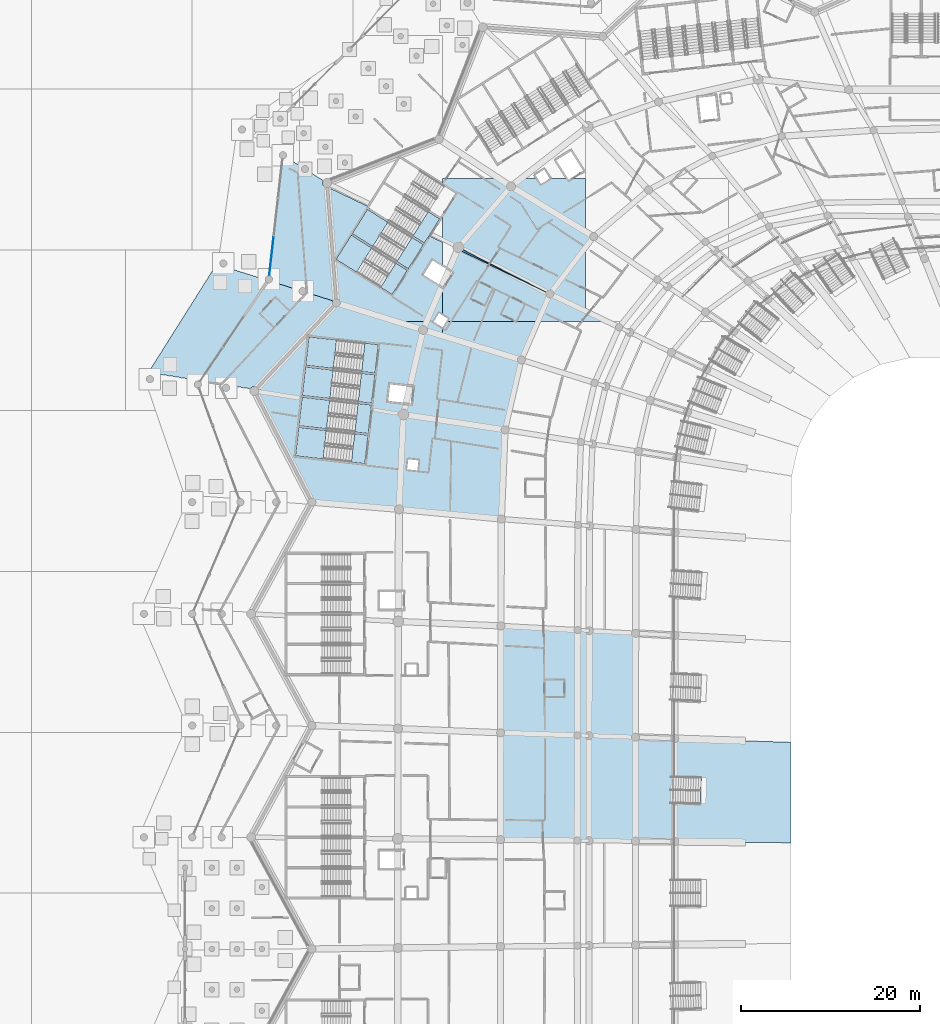
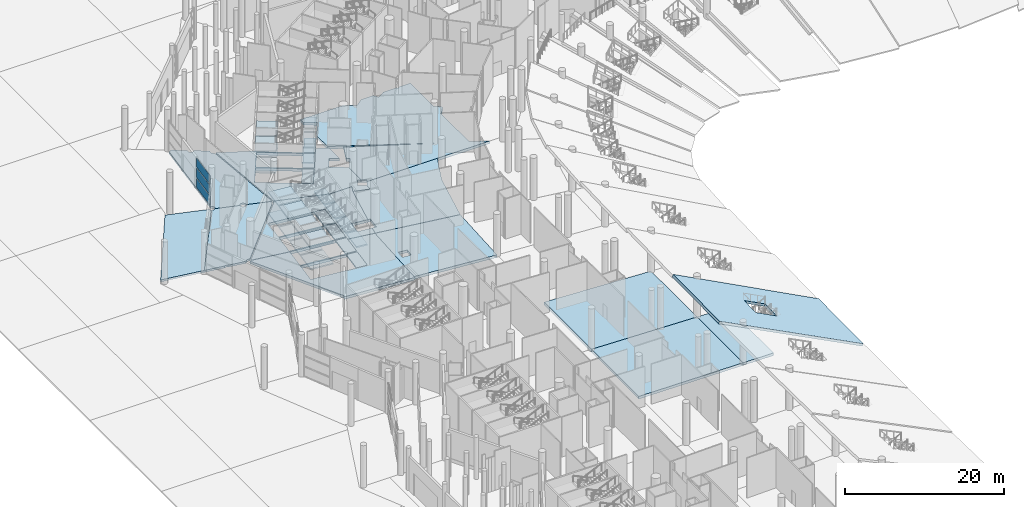
# One storey, part 87 of 255: 40 slabs, 3 plates, 8 elements without a shape of their own.
"""IFC4 building model written with IfcOpenShell, lengths in metres."""

from ifc_helpers import new_model, si_unit, direction, frame, origin, origin_2d, place, context, subcontext, project, spatial, polyline, rectangle, outline, extrude, material, layer, layer_set, type_object, element, aggregate, save


model = new_model("IFC4")

# Units and contexts
model_context = context("Model", 3, precision=1e-05, world=origin(), true_north=direction((0.0, 1.0)))
body_context = subcontext(model_context, "Body", "Model", "MODEL_VIEW")
ifc_project = project(units=[si_unit("LENGTHUNIT", "METRE"), si_unit("AREAUNIT", "SQUARE_METRE"), si_unit("VOLUMEUNIT", "CUBIC_METRE"), si_unit("PLANEANGLEUNIT", "RADIAN"), si_unit("MASSUNIT", "GRAM", prefix="KILO")], contexts=[model_context])

# Site, building, storey
site_placement = place(None, origin())
site = spatial("IfcSite", under=ifc_project, at=site_placement, CompositionType="ELEMENT")
building_placement = place(site_placement, origin())
building = spatial("IfcBuilding", under=site, at=building_placement, Name="Meseta Stadium", CompositionType="ELEMENT")
storey_placement = place(building_placement, origin())
storey = spatial("IfcBuildingStorey", under=building, at=storey_placement, Name="L00", CompositionType="ELEMENT", Elevation=0.0)

# Slabs
ifc_material_1 = material(Name="Concrete C40/50", Category="concrete")
ifc_layer_1 = layer(ifc_material_1, 0.39990234375)
ifc_layer_set_1 = layer_set([ifc_layer_1], Name="Floor slab 400")
slab_type_1 = type_object("IfcSlabType", Name="Floor slab 400", PredefinedType="FLOOR", material=ifc_layer_set_1)
slab_1_placement = place(storey_placement, frame((0.0, 0.0, -0.39990234375)))
element("IfcSlab", 1, at=slab_1_placement, inside=storey, type_object=slab_type_1, Name="Floor slab L00 sector 21 panel 01", PredefinedType="FLOOR", context=body_context, shape_type="SweptSolid", body=[
    extrude(outline(polyline([(-87.94580078125, 54.62548828125), (-87.985595703125, 54.272216796875), (-84.335693359375, 53.684326171875), (-84.0673828125, 54.842529296875), (-86.08447265625, 55.06982421875), (-85.87158203125, 56.9580078125), (-83.635498046875, 56.7060546875), (-82.169189453125, 63.03369140625), (-81.75390625, 64.0), (-84.956787109375, 64.0), (-91.8818359375, 66.171142578125), (-91.872802734375, 66.051513671875), (-100.910888671875, 56.353759765625), (-95.3837890625, 55.463623046875), (-87.94580078125, 54.62548828125)]), holes=[polyline([(-95.67431640625, 55.697509765625), (-95.316162109375, 58.87744140625), (-87.565185546875, 58.004150390625), (-87.923583984375, 54.82421875), (-95.67431640625, 55.697509765625)]), polyline([(-95.293701171875, 59.076171875), (-94.935302734375, 62.256103515625), (-87.1845703125, 61.3828125), (-87.542724609375, 58.202880859375), (-95.293701171875, 59.076171875)])]), origin(), (0.0, 0.0, 1.0), 0.39990234375),
])
slab_2_placement = place(storey_placement, frame((0.0, 0.0, -0.39990234375)))
element("IfcSlab", 2, at=slab_2_placement, inside=storey, type_object=slab_type_1, Name="Floor slab L00 sector 21 panel 02", PredefinedType="FLOOR", context=body_context, shape_type="SweptSolid", body=[
    extrude(outline(polyline([(-80.0, 70.12353515625), (-80.0, 72.84228515625), (-81.504150390625, 73.565673828125), (-82.01708984375, 72.749267578125), (-88.282958984375, 76.686279296875), (-88.2158203125, 76.793212890625), (-92.87451171875, 79.03369140625), (-91.8818359375, 66.171142578125), (-84.956787109375, 64.0), (-81.75390625, 64.0), (-82.169189453125, 63.03369140625), (-80.0, 62.371826171875), (-80.0, 63.273681640625), (-81.015625, 63.91162109375), (-80.377197265625, 64.927734375), (-80.0, 64.69091796875), (-80.0, 67.879638671875), (-82.11572265625, 69.208984375), (-81.10498046875, 70.81787109375), (-80.0, 70.12353515625)]), holes=[polyline([(-91.90087890625, 70.9287109375), (-90.1982421875, 73.63818359375), (-83.9326171875, 69.700927734375), (-85.635009765625, 66.991455078125), (-91.90087890625, 70.9287109375)]), polyline([(-90.091796875, 73.807373046875), (-88.389404296875, 76.516845703125), (-82.123779296875, 72.579833984375), (-83.826171875, 69.870361328125), (-90.091796875, 73.807373046875)])]), origin(), (0.0, 0.0, 1.0), 0.39990234375),
])
slab_3_placement = place(storey_placement, frame((0.0, 0.0, -0.39990234375)))
element("IfcSlab", 3, at=slab_3_placement, inside=storey, type_object=slab_type_1, Name="Floor slab L00 sector 21 panel 04", PredefinedType="FLOOR", context=body_context, shape_type="SweptSolid", body=[
    extrude(outline(polyline([(-79.99951171875, 63.273193359375), (-80.0, 62.371826171875), (-82.169189453125, 63.03369140625), (-83.635498046875, 56.7060546875), (-83.2880859375, 56.6669921875), (-83.500732421875, 54.77880859375), (-84.0673828125, 54.842529296875), (-84.335693359375, 53.684326171875), (-72.989990234375, 51.85693359375), (-71.169677734375, 59.67724609375), (-69.297119140625, 64.0), (-79.54296875, 64.0), (-79.99951171875, 63.273193359375)])), origin(), (0.0, 0.0, 1.0), 0.39990234375),
])
slab_4_placement = place(storey_placement, frame((0.0, 0.0, -0.39990234375)))
element("IfcSlab", 4, at=slab_4_placement, inside=storey, type_object=slab_type_1, Name="Floor slab L00 sector 21 panel 05", PredefinedType="FLOOR", context=body_context, shape_type="SweptSolid", body=[
    extrude(outline(polyline([(-67.973388671875, 67.058349609375), (-78.197998046875, 72.27197265625), (-78.303466796875, 72.0263671875), (-67.973388671875, 67.058349609375)])), origin(), (0.0, 0.0, 1.0), 0.39990234375),
])
slab_5_placement = place(storey_placement, frame((0.0, 0.0, -0.39990234375)))
element("IfcSlab", 5, at=slab_5_placement, inside=storey, type_object=slab_type_1, Name="Floor slab L00 sector 21 panel 06", PredefinedType="FLOOR", context=body_context, shape_type="SweptSolid", body=[
    extrude(outline(polyline([(-67.967041015625, 79.9794921875), (-68.983154296875, 79.341064453125), (-69.397216796875, 80.0), (-71.144287109375, 80.0), (-72.31201171875, 79.091064453125), (-73.699951171875, 80.0), (-80.0, 80.0), (-80.0, 79.276611328125), (-78.505859375, 78.337646484375), (-80.0, 75.959716796875), (-80.0, 73.154296875), (-78.197998046875, 72.27197265625), (-67.972412109375, 67.057861328125), (-78.303466796875, 72.0263671875), (-79.308349609375, 69.68896484375), (-78.903564453125, 69.4345703125), (-79.914306640625, 67.82568359375), (-80.0, 67.879638671875), (-80.0, 64.69091796875), (-79.361083984375, 64.289306640625), (-79.54296875, 64.0), (-61.6142578125, 64.0), (-64.0, 65.1474609375), (-64.0, 72.251708984375), (-63.068115234375, 73.469970703125), (-64.0, 74.098876953125), (-64.0, 80.0), (-65.585205078125, 80.0), (-65.86279296875, 79.82568359375), (-65.972412109375, 80.0), (-67.97998046875, 80.0), (-67.967041015625, 79.9794921875)])), origin(), (0.0, 0.0, 1.0), 0.39990234375),
])
slab_6_placement = place(storey_placement, frame((0.0, 0.0, -0.39990234375)))
element("IfcSlab", 6, at=slab_6_placement, inside=storey, type_object=slab_type_1, Name="Floor slab L00 sector 28 panel 03", PredefinedType="FLOOR", context=body_context, shape_type="SweptSolid", body=[
    extrude(outline(polyline([(-87.98779296875, 54.252197265625), (-88.30419921875, 51.44580078125), (-96.05517578125, 52.319091796875), (-95.697509765625, 55.493896484375), (-100.927490234375, 56.336181640625), (-101.0517578125, 56.202880859375), (-94.60009765625, 43.75), (-94.736328125, 43.49951171875), (-84.85546875, 42.7412109375), (-84.85400390625, 42.948486328125), (-84.36328125, 53.5654296875), (-84.34033203125, 53.664794921875), (-87.98779296875, 54.252197265625)]), holes=[polyline([(-88.684814453125, 48.06689453125), (-96.435791015625, 48.9404296875), (-96.077392578125, 52.1201171875), (-88.326416015625, 51.246826171875), (-88.684814453125, 48.06689453125)])]), origin(), (0.0, 0.0, 1.0), 0.39990234375),
])
slab_7_placement = place(storey_placement, frame((0.0, 0.0, -0.39990234375)))
element("IfcSlab", 7, at=slab_7_placement, inside=storey, type_object=slab_type_1, Name="Floor slab L00 sector 28 panel 14", PredefinedType="FLOOR", context=body_context, shape_type="SweptSolid", body=[
    extrude(outline(polyline([(-72.99267578125, 51.837158203125), (-84.34033203125, 53.664794921875), (-84.36328125, 53.5654296875), (-84.85400390625, 42.948486328125), (-73.40478515625, 41.8623046875), (-72.99267578125, 51.837158203125)]), holes=[polyline([(-83.84716796875, 48.57861328125), (-82.65478515625, 48.444091796875), (-82.7890625, 47.251708984375), (-83.9814453125, 47.385986328125), (-83.84716796875, 48.57861328125)])]), origin(), (0.0, 0.0, 1.0), 0.39990234375),
])
slab_8_placement = place(storey_placement, frame((0.0, 0.0, -0.39990234375)))
element("IfcSlab", 8, at=slab_8_placement, inside=storey, type_object=slab_type_1, Name="Floor slab L00 sector 28 panel 16", PredefinedType="FLOOR", context=body_context, shape_type="SweptSolid", body=[
    extrude(outline(polyline([(-73.482421875, 17.943603515625), (-73.498046875, 5.981201171875), (-58.39892578125, 5.81591796875), (-58.390625, 17.447021484375), (-73.482421875, 17.943603515625)])), origin(), (0.0, 0.0, 1.0), 0.39990234375),
])
slab_9_placement = place(storey_placement, frame((0.0, 0.0, -0.39990234375)))
element("IfcSlab", 9, at=slab_9_placement, inside=storey, type_object=slab_type_1, Name="Floor slab L00 sector 28 panel 18", PredefinedType="FLOOR", context=body_context, shape_type="SweptSolid", body=[
    extrude(outline(polyline([(-73.451416015625, 29.904052734375), (-73.482421875, 17.943603515625), (-58.390625, 17.447021484375), (-58.373779296875, 29.077392578125), (-73.451416015625, 29.904052734375)])), origin(), (0.0, 0.0, 1.0), 0.39990234375),
])
slab_10_placement = place(storey_placement, frame((0.0, 0.0, -0.39990234375)))
element("IfcSlab", 10, at=slab_10_placement, inside=storey, type_object=slab_type_1, Name="Floor slab L00 sector 28 panel 23", PredefinedType="FLOOR", context=body_context, shape_type="SweptSolid", body=[
    extrude(outline(polyline([(-53.999267578125, 5.767578125), (-53.992919921875, 17.302490234375), (-58.390625, 17.447021484375), (-58.39892578125, 5.81591796875), (-53.999267578125, 5.767578125)])), origin(), (0.0, 0.0, 1.0), 0.39990234375),
])
ifc_material_2 = material(Name="Concrete C40/50", Category="concrete")
ifc_layer_2 = layer(ifc_material_2, 0.300048828125)
ifc_layer_set_2 = layer_set([ifc_layer_2], Name="Passage paving slab 300")
slab_type_2 = type_object("IfcSlabType", Name="Passage paving slab 300", PredefinedType="FLOOR", material=ifc_layer_set_2)
slab_11_placement = place(storey_placement, frame((0.0, 0.0, -0.300048828125)))
element("IfcSlab", 11, at=slab_11_placement, inside=storey, type_object=slab_type_2, Name="Covered passage paving 4 part 2 panel 01", PredefinedType="FLOOR", context=body_context, shape_type="SweptSolid", body=[
    extrude(outline(polyline([(-99.773193359375, 68.4921875), (-99.8134765625, 68.58935546875), (-99.822998046875, 68.660888671875), (-104.397705078125, 70.09521484375), (-104.416259765625, 70.087646484375), (-104.520751953125, 70.073974609375), (-104.625244140625, 70.087646484375), (-104.722412109375, 70.1279296875), (-104.805908203125, 70.19189453125), (-104.837646484375, 70.233154296875), (-105.27880859375, 70.37158203125), (-112.895263671875, 58.283935546875), (-107.08056640625, 57.347412109375), (-99.64794921875, 68.361572265625), (-99.708984375, 68.408447265625), (-99.773193359375, 68.4921875)])), origin(), (0.0, 0.0, 1.0), 0.300048828125),
])

# Curtain wall, plates
ifc_material_3 = material(Name="Aluminium", Category="aluminium")
ifc_layer_3 = layer(ifc_material_3, 0.199951171875)
ifc_layer_set_3 = layer_set([ifc_layer_3], Name="Ring shopfront curtain wall")
curtain_wall_type = type_object("IfcCurtainWallType", Name="Ring shopfront curtain wall", PredefinedType="NOTDEFINED", material=ifc_layer_set_3)
curtain_wall_placement = place(storey_placement, origin())
curtain_wall = element("IfcCurtainWall", 12, at=curtain_wall_placement, inside=storey, type_object=curtain_wall_type, Name="Shopfront glazing F26b", PredefinedType="NOTDEFINED")
ifc_material_4 = material(Name="Glass", Category="glass")
ifc_layer_4 = layer(ifc_material_4, 0.035888671875)
ifc_layer_set_4 = layer_set([ifc_layer_4], Name="Ring CW glass panel 36")
plate_type = type_object("IfcPlateType", Name="Ring CW glass panel 36", PredefinedType="CURTAIN_PANEL", material=ifc_layer_set_4)
plate_1_placement = place(storey_placement, frame((-99.132080078125, 71.271240234375, 0.150146484375), z_axis=(0.0, 0.0, 1.0), x_axis=(-0.112472456913, -0.993654842707, 0.0)))
plate_1 = element("IfcPlate", 13, at=plate_1_placement, type_object=plate_type, Name="CWR1 panel 1.1", PredefinedType="CURTAIN_PANEL", context=body_context, shape_type="SweptSolid", body=[
    extrude(rectangle(XDim=4.267822265625, YDim=0.035888671875, at=origin_2d()), origin(), (0.0, 0.0, 1.0), 1.3916015625),
])
plate_2_placement = place(storey_placement, frame((-99.132080078125, 71.271240234375, 1.69189453125), z_axis=(0.0, 0.0, 1.0), x_axis=(-0.112472456913, -0.993654842707, 0.0)))
plate_2 = element("IfcPlate", 14, at=plate_2_placement, type_object=plate_type, Name="CWR1 panel 1.2", PredefinedType="CURTAIN_PANEL", context=body_context, shape_type="SweptSolid", body=[
    extrude(rectangle(XDim=4.267822265625, YDim=0.035888671875, at=origin_2d()), origin(), (0.0, 0.0, 1.0), 1.466552734375),
])
plate_3_placement = place(storey_placement, frame((-99.132080078125, 71.271240234375, 3.308349609375), z_axis=(0.0, 0.0, 1.0), x_axis=(-0.112472456913, -0.993654842707, 0.0)))
plate_3 = element("IfcPlate", 15, at=plate_3_placement, type_object=plate_type, Name="CWR1 panel 1.3", PredefinedType="CURTAIN_PANEL", context=body_context, shape_type="SweptSolid", body=[
    extrude(rectangle(XDim=4.267822265625, YDim=0.035888671875, at=origin_2d()), origin(), (0.0, 0.0, 1.0), 1.3916015625),
])
aggregate(curtain_wall, [plate_1, plate_2, plate_3])

# Slabs
ifc_material_5 = material(Name="Concrete C30/37", Category="concrete")
ifc_layer_5 = layer(ifc_material_5, 0.300048828125)
ifc_layer_set_5 = layer_set([ifc_layer_5], Name="Ring grade slab 300")
slab_type_3 = type_object("IfcSlabType", Name="Ring grade slab 300", PredefinedType="BASESLAB", material=ifc_layer_set_5)
slab_12_placement = place(storey_placement, frame((0.0, 0.0, -0.300048828125)))
element("IfcSlab", 16, at=slab_12_placement, inside=storey, type_object=slab_type_3, Name="Ring ground floor slab 4 part 2 panel 01", PredefinedType="BASESLAB", context=body_context, shape_type="SweptSolid", body=[
    extrude(outline(polyline([(-92.31103515625, 66.1689453125), (-92.265869140625, 66.278564453125), (-92.2578125, 66.2890625), (-95.272705078125, 67.234375), (-95.298828125, 67.1708984375), (-95.363037109375, 67.08740234375), (-95.446533203125, 67.023193359375), (-95.543701171875, 66.98291015625), (-95.648193359375, 66.96923828125), (-95.752685546875, 66.98291015625), (-95.85009765625, 67.023193359375), (-95.93359375, 67.08740234375), (-95.997802734375, 67.1708984375), (-96.0380859375, 67.268310546875), (-96.0517578125, 67.372802734375), (-96.038330078125, 67.474365234375), (-99.114990234375, 68.43896484375), (-99.138427734375, 68.408447265625), (-99.22216796875, 68.344482421875), (-99.3193359375, 68.30419921875), (-99.423828125, 68.290283203125), (-99.5283203125, 68.30419921875), (-99.62548828125, 68.344482421875), (-99.64794921875, 68.361572265625), (-107.08056640625, 57.347412109375), (-104.39697265625, 56.915283203125), (-104.31640625, 56.948486328125), (-104.2119140625, 56.96240234375), (-104.107666015625, 56.948486328125), (-104.01025390625, 56.908203125), (-103.9267578125, 56.84423828125), (-103.922607421875, 56.8388671875), (-101.49169921875, 56.447265625), (-101.48828125, 56.455078125), (-101.408203125, 56.559326171875), (-101.3037109375, 56.6396484375), (-101.18212890625, 56.68994140625), (-101.0517578125, 56.70703125), (-100.921142578125, 56.68994140625), (-100.835693359375, 56.654541015625), (-92.27294921875, 65.842041015625), (-92.31103515625, 65.93408203125), (-92.32666015625, 66.051513671875), (-92.31103515625, 66.1689453125)])), origin(), (0.0, 0.0, 1.0), 0.300048828125),
])
slab_13_placement = place(storey_placement, frame((0.0, 0.0, -0.300048828125)))
element("IfcSlab", 17, at=slab_13_placement, inside=storey, type_object=slab_type_3, Name="Ring ground floor slab 4 part 2 panel 02", PredefinedType="BASESLAB", context=body_context, shape_type="SweptSolid", body=[
    extrude(outline(polyline([(-97.650146484375, 82.231201171875), (-97.747314453125, 82.19091796875), (-97.851806640625, 82.17724609375), (-97.89697265625, 82.18310546875), (-99.37890625, 69.09130859375), (-99.3193359375, 69.08349609375), (-99.22216796875, 69.043212890625), (-99.138427734375, 68.97900390625), (-99.074462890625, 68.8955078125), (-99.0341796875, 68.798095703125), (-99.020263671875, 68.69384765625), (-99.0341796875, 68.58935546875), (-99.074462890625, 68.4921875), (-99.114990234375, 68.43896484375), (-96.038330078125, 67.474365234375), (-95.997802734375, 67.574462890625), (-95.93359375, 67.657958984375), (-95.85009765625, 67.72216796875), (-95.752685546875, 67.762451171875), (-95.648193359375, 67.776123046875), (-95.543701171875, 67.762451171875), (-95.446533203125, 67.72216796875), (-95.363037109375, 67.657958984375), (-95.298828125, 67.574462890625), (-95.258544921875, 67.47705078125), (-95.244873046875, 67.372802734375), (-95.258544921875, 67.268310546875), (-95.272705078125, 67.234375), (-92.2578125, 66.2890625), (-92.193603515625, 66.37255859375), (-92.099609375, 66.444580078125), (-92.054931640625, 66.463134765625), (-93.021240234375, 78.985107421875), (-93.0390625, 78.9873046875), (-93.16064453125, 79.037841796875), (-93.26513671875, 79.117919921875), (-93.34521484375, 79.222412109375), (-93.395751953125, 79.343994140625), (-93.412841796875, 79.474609375), (-93.395751953125, 79.60498046875), (-93.34521484375, 79.726806640625), (-93.333740234375, 79.74169921875), (-95.0400390625, 80.81396484375), (-95.094970703125, 80.7421875), (-95.178466796875, 80.67822265625), (-95.27587890625, 80.637939453125), (-95.380126953125, 80.624267578125), (-95.484619140625, 80.637939453125), (-95.581787109375, 80.67822265625), (-95.66552734375, 80.7421875), (-95.7294921875, 80.825927734375), (-95.77001953125, 80.923095703125), (-95.78369140625, 81.027587890625), (-95.77001953125, 81.132080078125), (-95.7294921875, 81.2294921875), (-95.720458984375, 81.241455078125), (-97.51171875, 82.366943359375), (-97.566650390625, 82.29541015625), (-97.650146484375, 82.231201171875)])), origin(), (0.0, 0.0, 1.0), 0.300048828125),
])
ifc_material_6 = material(Name="Concrete C40/50", Category="concrete")
ifc_layer_6 = layer(ifc_material_6, 0.35009765625)
ifc_layer_set_6 = layer_set([ifc_layer_6], Name="Seating tier 350")
slab_type_4 = type_object("IfcSlabType", Name="Seating tier 350", PredefinedType="USERDEFINED", material=ifc_layer_set_6)
slab_14_placement = place(storey_placement, frame((-41.0, 16.875, -2.93701171875), z_axis=(0.45421956364, -0.009970640844, 0.89083397686), x_axis=(-0.890363392122, 0.029288074705, 0.454307427464)))
element("IfcSlab", 18, at=slab_14_placement, inside=storey, type_object=slab_type_4, Name="Stand lower tier bay 32", ObjectType="SEATING TIER", PredefinedType="USERDEFINED", context=body_context, shape_type="SweptSolid", body=[
    extrude(outline(polyline([(0.0, 0.0), (23.34866167194601, -4.85722573273506e-17), (22.957283885143344, 11.699948266812507), (-0.3867229284558792, 11.244056895441984), (0.0, 0.0)]), holes=[polyline([(11.15771484375, 4.23291015625), (14.525390625, 4.265625), (14.495849609375, 7.265380859375), (11.12841796875, 7.232666015625), (11.15771484375, 4.23291015625)])]), origin(), (0.0, 0.0, -1.0), 0.35009765625),
])

# Stair, slabs
ifc_material_7 = material(Name="Concrete C40/50", Category="concrete")
stair_type = type_object("IfcStairType", Name="Exit stair 4 flights 148 mm risers", PredefinedType="HALF_TURN_STAIR", material=ifc_material_7)
stair_1_placement = place(storey_placement, origin())
stair_1 = element("IfcStair", 19, at=stair_1_placement, inside=storey, type_object=stair_type, Name="ST54 L00", PredefinedType="HALF_TURN_STAIR")
ifc_material_8 = material(Name="Concrete C40/50", Category="concrete")
ifc_layer_7 = layer(ifc_material_8, 0.199951171875)
ifc_layer_set_7 = layer_set([ifc_layer_7], Name="Stair landing 200")
slab_type_5 = type_object("IfcSlabType", Name="Stair landing 200", PredefinedType="LANDING", material=ifc_layer_set_7)
slab_15_placement = place(storey_placement, frame((0.0, 0.0, 3.050048828125)))
slab_15 = element("IfcSlab", 20, at=slab_15_placement, type_object=slab_type_5, Name="ST54 L00 landing 2", PredefinedType="LANDING", context=body_context, shape_type="SweptSolid", body=[
    extrude(outline(polyline([(-80.314697265625, 75.458740234375), (-81.59326171875, 76.26220703125), (-83.2958984375, 73.552490234375), (-82.017333984375, 72.749267578125), (-80.314697265625, 75.458740234375)])), origin(), (0.0, 0.0, 1.0), 0.199951171875),
])
slab_16_placement = place(storey_placement, frame((0.0, 0.0, -0.199951171875)))
slab_16 = element("IfcSlab", 21, at=slab_16_placement, type_object=slab_type_5, Name="ST54 L00 landing 4", PredefinedType="LANDING", context=body_context, shape_type="SweptSolid", body=[
    extrude(outline(polyline([(-80.314697265625, 75.458740234375), (-81.59326171875, 76.26220703125), (-83.2958984375, 73.552490234375), (-82.017333984375, 72.749267578125), (-80.314697265625, 75.458740234375)])), origin(), (0.0, 0.0, 1.0), 0.199951171875),
])
aggregate(stair_1, [slab_15, slab_16])

stair_2_placement = place(storey_placement, origin())
stair_2 = element("IfcStair", 22, at=stair_2_placement, inside=storey, type_object=stair_type, Name="ST55 L00", PredefinedType="HALF_TURN_STAIR")
slab_17_placement = place(storey_placement, frame((0.0, 0.0, 1.425048828125)))
slab_17 = element("IfcSlab", 23, at=slab_17_placement, type_object=slab_type_5, Name="ST55 L00 landing 1", PredefinedType="LANDING", context=body_context, shape_type="SweptSolid", body=[
    extrude(outline(polyline([(-86.0947265625, 75.0751953125), (-88.389404296875, 76.516845703125), (-90.091796875, 73.807373046875), (-87.79736328125, 72.36572265625), (-86.0947265625, 75.0751953125)])), origin(), (0.0, 0.0, 1.0), 0.199951171875),
])
slab_18_placement = place(storey_placement, frame((0.0, 0.0, 3.050048828125)))
slab_18 = element("IfcSlab", 24, at=slab_18_placement, type_object=slab_type_5, Name="ST55 L00 landing 2", PredefinedType="LANDING", context=body_context, shape_type="SweptSolid", body=[
    extrude(outline(polyline([(-82.12353515625, 72.579833984375), (-83.402099609375, 73.38330078125), (-85.104736328125, 70.673828125), (-83.826171875, 69.870361328125), (-82.12353515625, 72.579833984375)])), origin(), (0.0, 0.0, 1.0), 0.199951171875),
])
slab_19_placement = place(storey_placement, frame((0.0, 0.0, 4.675048828125)))
slab_19 = element("IfcSlab", 25, at=slab_19_placement, type_object=slab_type_5, Name="ST55 L00 landing 3", PredefinedType="LANDING", context=body_context, shape_type="SweptSolid", body=[
    extrude(outline(polyline([(-86.0947265625, 75.0751953125), (-88.389404296875, 76.516845703125), (-90.091796875, 73.807373046875), (-87.79736328125, 72.36572265625), (-86.0947265625, 75.0751953125)])), origin(), (0.0, 0.0, 1.0), 0.199951171875),
])
slab_20_placement = place(storey_placement, frame((0.0, 0.0, -0.199951171875)))
slab_20 = element("IfcSlab", 26, at=slab_20_placement, type_object=slab_type_5, Name="ST55 L00 landing 4", PredefinedType="LANDING", context=body_context, shape_type="SweptSolid", body=[
    extrude(outline(polyline([(-82.12353515625, 72.579833984375), (-83.402099609375, 73.38330078125), (-85.104736328125, 70.673828125), (-83.826171875, 69.870361328125), (-82.12353515625, 72.579833984375)])), origin(), (0.0, 0.0, 1.0), 0.199951171875),
])
aggregate(stair_2, [slab_17, slab_18, slab_19, slab_20])

stair_3_placement = place(storey_placement, origin())
stair_3 = element("IfcStair", 27, at=stair_3_placement, inside=storey, type_object=stair_type, Name="ST56 L00", PredefinedType="HALF_TURN_STAIR")
slab_21_placement = place(storey_placement, frame((0.0, 0.0, 1.425048828125)))
slab_21 = element("IfcSlab", 28, at=slab_21_placement, type_object=slab_type_5, Name="ST56 L00 landing 1", PredefinedType="LANDING", context=body_context, shape_type="SweptSolid", body=[
    extrude(outline(polyline([(-87.90380859375, 72.1962890625), (-90.1982421875, 73.63818359375), (-91.90087890625, 70.928466796875), (-89.606201171875, 69.48681640625), (-87.90380859375, 72.1962890625)])), origin(), (0.0, 0.0, 1.0), 0.199951171875),
])
slab_22_placement = place(storey_placement, frame((0.0, 0.0, 3.050048828125)))
slab_22 = element("IfcSlab", 29, at=slab_22_placement, type_object=slab_type_5, Name="ST56 L00 landing 2", PredefinedType="LANDING", context=body_context, shape_type="SweptSolid", body=[
    extrude(outline(polyline([(-83.9326171875, 69.700927734375), (-85.211181640625, 70.50439453125), (-86.91357421875, 67.794921875), (-85.635009765625, 66.991455078125), (-83.9326171875, 69.700927734375)])), origin(), (0.0, 0.0, 1.0), 0.199951171875),
])
slab_23_placement = place(storey_placement, frame((0.0, 0.0, 4.675048828125)))
slab_23 = element("IfcSlab", 30, at=slab_23_placement, type_object=slab_type_5, Name="ST56 L00 landing 3", PredefinedType="LANDING", context=body_context, shape_type="SweptSolid", body=[
    extrude(outline(polyline([(-87.90380859375, 72.1962890625), (-90.1982421875, 73.63818359375), (-91.90087890625, 70.928466796875), (-89.606201171875, 69.48681640625), (-87.90380859375, 72.1962890625)])), origin(), (0.0, 0.0, 1.0), 0.199951171875),
])
slab_24_placement = place(storey_placement, frame((0.0, 0.0, -0.199951171875)))
slab_24 = element("IfcSlab", 31, at=slab_24_placement, type_object=slab_type_5, Name="ST56 L00 landing 4", PredefinedType="LANDING", context=body_context, shape_type="SweptSolid", body=[
    extrude(outline(polyline([(-83.9326171875, 69.700927734375), (-85.211181640625, 70.50439453125), (-86.91357421875, 67.794921875), (-85.635009765625, 66.991455078125), (-83.9326171875, 69.700927734375)])), origin(), (0.0, 0.0, 1.0), 0.199951171875),
])
aggregate(stair_3, [slab_21, slab_22, slab_23, slab_24])

stair_4_placement = place(storey_placement, origin())
stair_4 = element("IfcStair", 32, at=stair_4_placement, inside=storey, type_object=stair_type, Name="ST57 L00", PredefinedType="HALF_TURN_STAIR")
slab_25_placement = place(storey_placement, frame((0.0, 0.0, 1.425048828125)))
slab_25 = element("IfcSlab", 33, at=slab_25_placement, type_object=slab_type_5, Name="ST57 L00 landing 1", PredefinedType="LANDING", context=body_context, shape_type="SweptSolid", body=[
    extrude(outline(polyline([(-91.844970703125, 61.907958984375), (-94.935546875, 62.256103515625), (-95.293701171875, 59.076171875), (-92.203369140625, 58.72802734375), (-91.844970703125, 61.907958984375)])), origin(), (0.0, 0.0, 1.0), 0.199951171875),
])
slab_26_placement = place(storey_placement, frame((0.0, 0.0, 3.050048828125)))
slab_26 = element("IfcSlab", 34, at=slab_26_placement, type_object=slab_type_5, Name="ST57 L00 landing 2", PredefinedType="LANDING", context=body_context, shape_type="SweptSolid", body=[
    extrude(outline(polyline([(-87.1845703125, 61.3828125), (-88.68505859375, 61.5517578125), (-89.043212890625, 58.3720703125), (-87.542724609375, 58.202880859375), (-87.1845703125, 61.3828125)])), origin(), (0.0, 0.0, 1.0), 0.199951171875),
])
slab_27_placement = place(storey_placement, frame((0.0, 0.0, 4.675048828125)))
slab_27 = element("IfcSlab", 35, at=slab_27_placement, type_object=slab_type_5, Name="ST57 L00 landing 3", PredefinedType="LANDING", context=body_context, shape_type="SweptSolid", body=[
    extrude(outline(polyline([(-91.844970703125, 61.907958984375), (-94.935546875, 62.256103515625), (-95.293701171875, 59.076171875), (-92.203369140625, 58.72802734375), (-91.844970703125, 61.907958984375)])), origin(), (0.0, 0.0, 1.0), 0.199951171875),
])
slab_28_placement = place(storey_placement, frame((0.0, 0.0, -0.199951171875)))
slab_28 = element("IfcSlab", 36, at=slab_28_placement, type_object=slab_type_5, Name="ST57 L00 landing 4", PredefinedType="LANDING", context=body_context, shape_type="SweptSolid", body=[
    extrude(outline(polyline([(-87.1845703125, 61.3828125), (-88.68505859375, 61.5517578125), (-89.043212890625, 58.3720703125), (-87.542724609375, 58.202880859375), (-87.1845703125, 61.3828125)])), origin(), (0.0, 0.0, 1.0), 0.199951171875),
])
aggregate(stair_4, [slab_25, slab_26, slab_27, slab_28])

stair_5_placement = place(storey_placement, origin())
stair_5 = element("IfcStair", 37, at=stair_5_placement, inside=storey, type_object=stair_type, Name="ST58 L00", PredefinedType="HALF_TURN_STAIR")
slab_29_placement = place(storey_placement, frame((0.0, 0.0, 1.425048828125)))
slab_29 = element("IfcSlab", 38, at=slab_29_placement, type_object=slab_type_5, Name="ST58 L00 landing 1", PredefinedType="LANDING", context=body_context, shape_type="SweptSolid", body=[
    extrude(outline(polyline([(-92.2255859375, 58.529296875), (-95.316162109375, 58.87744140625), (-95.67431640625, 55.697509765625), (-92.583984375, 55.349365234375), (-92.2255859375, 58.529296875)])), origin(), (0.0, 0.0, 1.0), 0.199951171875),
])
slab_30_placement = place(storey_placement, frame((0.0, 0.0, 3.050048828125)))
slab_30 = element("IfcSlab", 39, at=slab_30_placement, type_object=slab_type_5, Name="ST58 L00 landing 2", PredefinedType="LANDING", context=body_context, shape_type="SweptSolid", body=[
    extrude(outline(polyline([(-87.565185546875, 58.004150390625), (-89.065673828125, 58.17333984375), (-89.424072265625, 54.993408203125), (-87.92333984375, 54.82421875), (-87.565185546875, 58.004150390625)])), origin(), (0.0, 0.0, 1.0), 0.199951171875),
])
slab_31_placement = place(storey_placement, frame((0.0, 0.0, 4.675048828125)))
slab_31 = element("IfcSlab", 40, at=slab_31_placement, type_object=slab_type_5, Name="ST58 L00 landing 3", PredefinedType="LANDING", context=body_context, shape_type="SweptSolid", body=[
    extrude(outline(polyline([(-92.2255859375, 58.529296875), (-95.316162109375, 58.87744140625), (-95.67431640625, 55.697509765625), (-92.583984375, 55.349365234375), (-92.2255859375, 58.529296875)])), origin(), (0.0, 0.0, 1.0), 0.199951171875),
])
slab_32_placement = place(storey_placement, frame((0.0, 0.0, -0.199951171875)))
slab_32 = element("IfcSlab", 41, at=slab_32_placement, type_object=slab_type_5, Name="ST58 L00 landing 4", PredefinedType="LANDING", context=body_context, shape_type="SweptSolid", body=[
    extrude(outline(polyline([(-87.565185546875, 58.004150390625), (-89.065673828125, 58.17333984375), (-89.424072265625, 54.993408203125), (-87.92333984375, 54.82421875), (-87.565185546875, 58.004150390625)])), origin(), (0.0, 0.0, 1.0), 0.199951171875),
])
aggregate(stair_5, [slab_29, slab_30, slab_31, slab_32])

stair_6_placement = place(storey_placement, origin())
stair_6 = element("IfcStair", 42, at=stair_6_placement, inside=storey, type_object=stair_type, Name="ST59 L00", PredefinedType="HALF_TURN_STAIR")
slab_33_placement = place(storey_placement, frame((0.0, 0.0, 1.425048828125)))
slab_33 = element("IfcSlab", 43, at=slab_33_placement, type_object=slab_type_5, Name="ST59 L00 landing 1", PredefinedType="LANDING", context=body_context, shape_type="SweptSolid", body=[
    extrude(outline(polyline([(-92.6064453125, 55.150634765625), (-95.69677734375, 55.498779296875), (-96.05517578125, 52.319091796875), (-92.964599609375, 51.970703125), (-92.6064453125, 55.150634765625)])), origin(), (0.0, 0.0, 1.0), 0.199951171875),
])
slab_34_placement = place(storey_placement, frame((0.0, 0.0, 3.050048828125)))
slab_34 = element("IfcSlab", 44, at=slab_34_placement, type_object=slab_type_5, Name="ST59 L00 landing 2", PredefinedType="LANDING", context=body_context, shape_type="SweptSolid", body=[
    extrude(outline(polyline([(-87.94580078125, 54.62548828125), (-89.4462890625, 54.794677734375), (-89.8046875, 51.61474609375), (-88.30419921875, 51.445556640625), (-87.94580078125, 54.62548828125)])), origin(), (0.0, 0.0, 1.0), 0.199951171875),
])
slab_35_placement = place(storey_placement, frame((0.0, 0.0, 4.675048828125)))
slab_35 = element("IfcSlab", 45, at=slab_35_placement, type_object=slab_type_5, Name="ST59 L00 landing 3", PredefinedType="LANDING", context=body_context, shape_type="SweptSolid", body=[
    extrude(outline(polyline([(-92.6064453125, 55.150634765625), (-95.69677734375, 55.498779296875), (-96.05517578125, 52.319091796875), (-92.964599609375, 51.970703125), (-92.6064453125, 55.150634765625)])), origin(), (0.0, 0.0, 1.0), 0.199951171875),
])
slab_36_placement = place(storey_placement, frame((0.0, 0.0, -0.199951171875)))
slab_36 = element("IfcSlab", 46, at=slab_36_placement, type_object=slab_type_5, Name="ST59 L00 landing 4", PredefinedType="LANDING", context=body_context, shape_type="SweptSolid", body=[
    extrude(outline(polyline([(-87.94580078125, 54.62548828125), (-89.4462890625, 54.794677734375), (-89.8046875, 51.61474609375), (-88.30419921875, 51.445556640625), (-87.94580078125, 54.62548828125)])), origin(), (0.0, 0.0, 1.0), 0.199951171875),
])
aggregate(stair_6, [slab_33, slab_34, slab_35, slab_36])

stair_7_placement = place(storey_placement, origin())
stair_7 = element("IfcStair", 47, at=stair_7_placement, inside=storey, type_object=stair_type, Name="ST60 L00", PredefinedType="HALF_TURN_STAIR")
slab_37_placement = place(storey_placement, frame((0.0, 0.0, 1.425048828125)))
slab_37 = element("IfcSlab", 48, at=slab_37_placement, type_object=slab_type_5, Name="ST60 L00 landing 1", PredefinedType="LANDING", context=body_context, shape_type="SweptSolid", body=[
    extrude(outline(polyline([(-92.987060546875, 51.77197265625), (-96.077392578125, 52.1201171875), (-96.435791015625, 48.9404296875), (-93.34521484375, 48.592041015625), (-92.987060546875, 51.77197265625)])), origin(), (0.0, 0.0, 1.0), 0.199951171875),
])
slab_38_placement = place(storey_placement, frame((0.0, 0.0, 3.050048828125)))
slab_38 = element("IfcSlab", 49, at=slab_38_placement, type_object=slab_type_5, Name="ST60 L00 landing 2", PredefinedType="LANDING", context=body_context, shape_type="SweptSolid", body=[
    extrude(outline(polyline([(-88.326416015625, 51.246826171875), (-89.8271484375, 51.416015625), (-90.185302734375, 48.236083984375), (-88.684814453125, 48.067138671875), (-88.326416015625, 51.246826171875)])), origin(), (0.0, 0.0, 1.0), 0.199951171875),
])
slab_39_placement = place(storey_placement, frame((0.0, 0.0, 4.675048828125)))
slab_39 = element("IfcSlab", 50, at=slab_39_placement, type_object=slab_type_5, Name="ST60 L00 landing 3", PredefinedType="LANDING", context=body_context, shape_type="SweptSolid", body=[
    extrude(outline(polyline([(-92.987060546875, 51.77197265625), (-96.077392578125, 52.1201171875), (-96.435791015625, 48.9404296875), (-93.34521484375, 48.592041015625), (-92.987060546875, 51.77197265625)])), origin(), (0.0, 0.0, 1.0), 0.199951171875),
])
slab_40_placement = place(storey_placement, frame((0.0, 0.0, -0.199951171875)))
slab_40 = element("IfcSlab", 51, at=slab_40_placement, type_object=slab_type_5, Name="ST60 L00 landing 4", PredefinedType="LANDING", context=body_context, shape_type="SweptSolid", body=[
    extrude(outline(polyline([(-88.326416015625, 51.246826171875), (-89.8271484375, 51.416015625), (-90.185302734375, 48.236083984375), (-88.684814453125, 48.067138671875), (-88.326416015625, 51.246826171875)])), origin(), (0.0, 0.0, 1.0), 0.199951171875),
])
aggregate(stair_7, [slab_37, slab_38, slab_39, slab_40])

save(model, "model.ifc")
